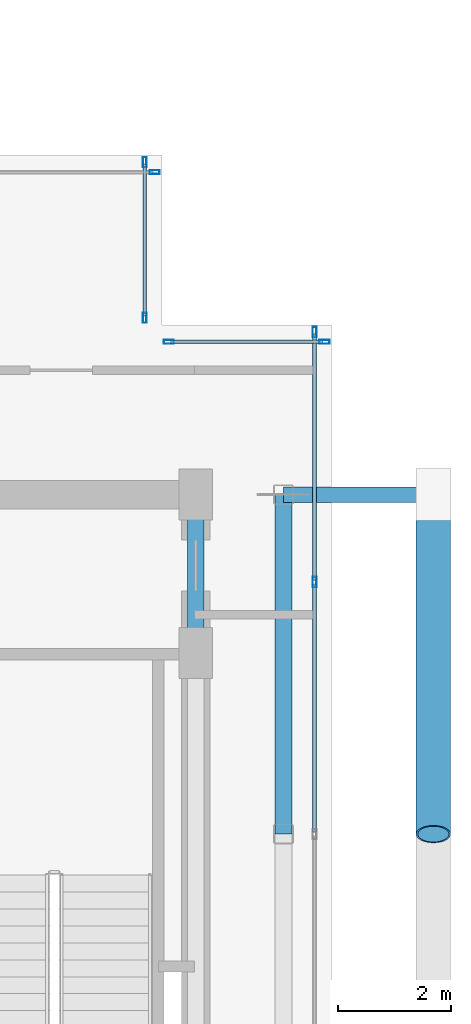
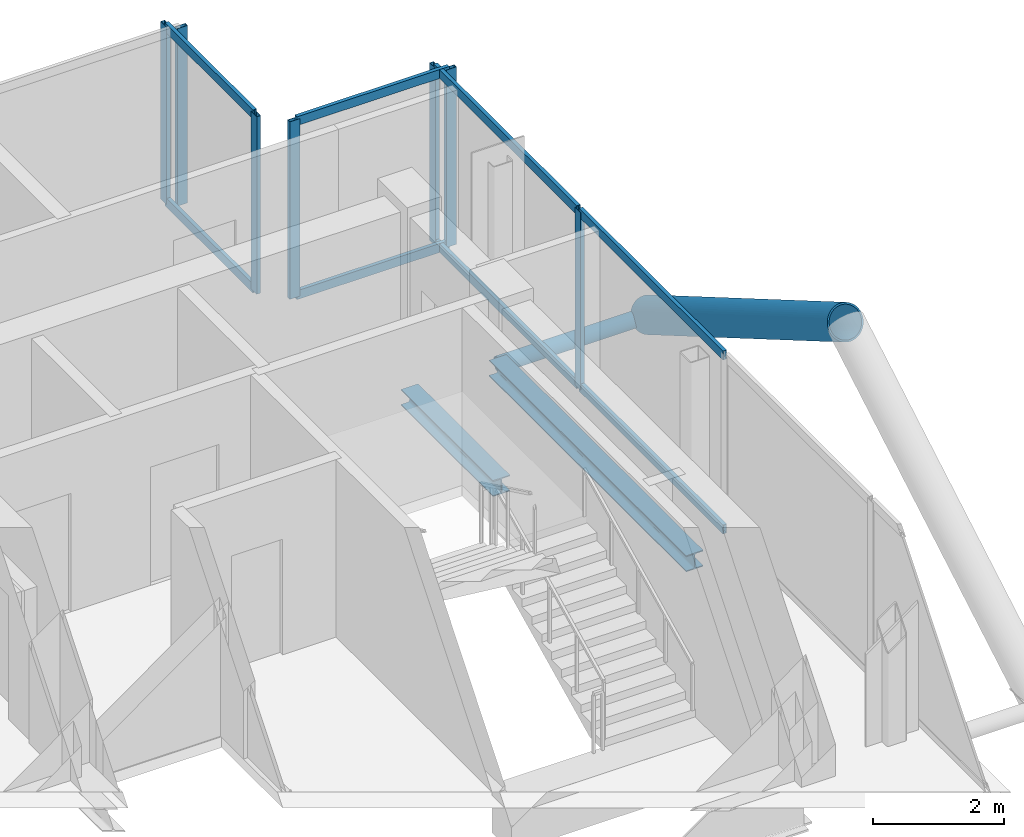
# One storey, part 13 of 19: 17 members, 2 beams, 4 elements without a shape of their own.
"""IFC4 building model written with IfcOpenShell, lengths in metres."""

from ifc_helpers import new_model, si_unit, direction, frame, origin, origin_2d, place, context, subcontext, project, spatial, hollow_rectangle, hollow_circle, i_section, extrude, material, layer, layer_set, material_profile, profile_set, type_object, element, aggregate, save


model = new_model("IFC4")

# Units and contexts
model_context = context("Model", 3, precision=1e-05, world=origin(), true_north=direction((0.0, 1.0)))
body_context = subcontext(model_context, "Body", "Model", "MODEL_VIEW")
ifc_project = project(units=[si_unit("LENGTHUNIT", "METRE"), si_unit("AREAUNIT", "SQUARE_METRE"), si_unit("VOLUMEUNIT", "CUBIC_METRE"), si_unit("PLANEANGLEUNIT", "RADIAN"), si_unit("MASSUNIT", "GRAM", prefix="KILO"), si_unit("THERMODYNAMICTEMPERATUREUNIT", "KELVIN"), si_unit("POWERUNIT", "WATT")], contexts=[model_context])

# Site, building, storey
site_placement = place(None, origin())
site = spatial("IfcSite", under=ifc_project, at=site_placement, CompositionType="ELEMENT")
building_placement = place(site_placement, origin())
building = spatial("IfcBuilding", under=site, at=building_placement, Name="Svarakhadi Broadcast Tower", CompositionType="ELEMENT")
storey_placement = place(building_placement, frame((0.0, 0.0, 285.199951171875)))
storey = spatial("IfcBuildingStorey", under=building, at=storey_placement, Name="L72", CompositionType="ELEMENT", Elevation=285.199951171875)

# Curtain wall, member
ifc_material_1 = material(Name="Anodised Bronze Aluminium AA 6063-T6", Category="aluminium")
ifc_layer = layer(ifc_material_1, 0.179931640625)
ifc_layer_set = layer_set([ifc_layer], Name="Anodised Bronze Aluminium AA 6063-T6")
curtain_wall_type = type_object("IfcCurtainWallType", Name="CW_Sys_05", PredefinedType="NOTDEFINED", material=ifc_layer_set)
curtain_wall_1_placement = place(storey_placement, origin())
curtain_wall_1 = element("IfcCurtainWall", 1, at=curtain_wall_1_placement, inside=storey, type_object=curtain_wall_type, Name="L72 Unitised Facade Curtain Wall 09", PredefinedType="NOTDEFINED")
ifc_material_profile_1 = material_profile(ifc_material_1, hollow_rectangle(XDim=0.070068359375, YDim=0.179931640625, WallThickness=0.005615234375, at=origin_2d()), Name="ALU MULLION 180x70x6")
ifc_profile_set_1 = profile_set([ifc_material_profile_1], Name="Anodised Bronze Aluminium AA 6063-T6")
member_type_1 = type_object("IfcMemberType", Name="CW_Sys_05_Mul", PredefinedType="MULLION", material=ifc_profile_set_1)
member_1_placement = place(storey_placement, frame((32.875, 23.699951171875, 0.0), z_axis=(0.0, 0.0, 1.0), x_axis=(0.0, 1.0, 0.0)))
member_1 = element("IfcMember", 2, at=member_1_placement, type_object=member_type_1, Name="CW-05 mullion 2", PredefinedType="MULLION", context=body_context, shape_type="SweptSolid", body=[
    extrude(hollow_rectangle(XDim=0.070068359375, YDim=0.179931640625, WallThickness=0.005615234375, at=origin_2d()), origin(), (0.0, 0.0, 1.0), 3.300048828125),
])
aggregate(curtain_wall_1, [member_1])

# Curtain wall, members
curtain_wall_2_placement = place(storey_placement, origin())
curtain_wall_2 = element("IfcCurtainWall", 3, at=curtain_wall_2_placement, inside=storey, type_object=curtain_wall_type, Name="L72 Unitised Facade Curtain Wall 10", PredefinedType="NOTDEFINED")
member_2_placement = place(storey_placement, frame((32.699951171875, 23.875, 0.0), z_axis=(0.0, 0.0, 1.0), x_axis=(1.0, 0.0, 0.0)))
member_2 = element("IfcMember", 4, at=member_2_placement, type_object=member_type_1, Name="CW-05 mullion 1", PredefinedType="MULLION", context=body_context, shape_type="SweptSolid", body=[
    extrude(hollow_rectangle(XDim=0.070068359375, YDim=0.179931640625, WallThickness=0.005615234375, at=origin_2d()), origin(), (0.0, 0.0, 1.0), 3.300048828125),
])
member_3_placement = place(storey_placement, frame((32.699951171875, 21.125, 0.0), z_axis=(0.0, 0.0, 1.0), x_axis=(1.0, 0.0, 0.0)))
member_3 = element("IfcMember", 5, at=member_3_placement, type_object=member_type_1, Name="CW-05 mullion 2", PredefinedType="MULLION", context=body_context, shape_type="SweptSolid", body=[
    extrude(hollow_rectangle(XDim=0.070068359375, YDim=0.179931640625, WallThickness=0.005615234375, at=origin_2d()), origin(), (0.0, 0.0, 1.0), 3.300048828125),
])

curtain_wall_3_placement = place(storey_placement, origin())
curtain_wall_3 = element("IfcCurtainWall", 6, at=curtain_wall_3_placement, inside=storey, type_object=curtain_wall_type, Name="L72 Unitised Facade Curtain Wall 11", PredefinedType="NOTDEFINED")
member_4_placement = place(storey_placement, frame((33.125, 20.699951171875, 0.0), z_axis=(0.0, 0.0, 1.0), x_axis=(0.0, 1.0, 0.0)))
member_4 = element("IfcMember", 7, at=member_4_placement, type_object=member_type_1, Name="CW-05 mullion 1", PredefinedType="MULLION", context=body_context, shape_type="SweptSolid", body=[
    extrude(hollow_rectangle(XDim=0.070068359375, YDim=0.179931640625, WallThickness=0.005615234375, at=origin_2d()), origin(), (0.0, 0.0, 1.0), 3.300048828125),
])
member_5_placement = place(storey_placement, frame((35.875, 20.699951171875, 0.0), z_axis=(0.0, 0.0, 1.0), x_axis=(0.0, 1.0, 0.0)))
member_5 = element("IfcMember", 8, at=member_5_placement, type_object=member_type_1, Name="CW-05 mullion 2", PredefinedType="MULLION", context=body_context, shape_type="SweptSolid", body=[
    extrude(hollow_rectangle(XDim=0.070068359375, YDim=0.179931640625, WallThickness=0.005615234375, at=origin_2d()), origin(), (0.0, 0.0, 1.0), 3.300048828125),
])

curtain_wall_4_placement = place(storey_placement, origin())
curtain_wall_4 = element("IfcCurtainWall", 9, at=curtain_wall_4_placement, inside=storey, type_object=curtain_wall_type, Name="L72 Unitised Facade Curtain Wall 12", PredefinedType="NOTDEFINED")
member_6_placement = place(storey_placement, frame((35.699951171875, 20.875, 0.0), z_axis=(0.0, 0.0, 1.0), x_axis=(1.0, 0.0, 0.0)))
member_6 = element("IfcMember", 10, at=member_6_placement, type_object=member_type_1, Name="CW-05 mullion 1", PredefinedType="MULLION", context=body_context, shape_type="SweptSolid", body=[
    extrude(hollow_rectangle(XDim=0.070068359375, YDim=0.179931640625, WallThickness=0.005615234375, at=origin_2d()), origin(), (0.0, 0.0, 1.0), 3.300048828125),
])
member_7_placement = place(storey_placement, frame((35.699951171875, 16.455078125, 0.0), z_axis=(0.0, 0.0, 1.0), x_axis=(1.0, 0.0, 0.0)))
member_7 = element("IfcMember", 11, at=member_7_placement, type_object=member_type_1, Name="CW-05 mullion 2", PredefinedType="MULLION", context=body_context, shape_type="SweptSolid", body=[
    extrude(hollow_rectangle(XDim=0.070068359375, YDim=0.179931640625, WallThickness=0.005615234375, at=origin_2d()), origin(), (0.0, 0.0, 1.0), 3.300048828125),
])

# Member
ifc_material_profile_2 = material_profile(ifc_material_1, hollow_rectangle(XDim=0.06494140625, YDim=0.1650390625, WallThickness=0.0048828125, at=origin_2d()), Name="ALU TRANSOM 165x65x5")
ifc_profile_set_2 = profile_set([ifc_material_profile_2], Name="Anodised Bronze Aluminium AA 6063-T6")
member_type_2 = type_object("IfcMemberType", Name="CW_Sys_05_Trn", PredefinedType="USERDEFINED", material=ifc_profile_set_2)
member_8_placement = place(storey_placement, frame((32.699951171875, 23.840087890625, 0.032470703125), z_axis=(0.0, -1.0, 0.0), x_axis=(1.0, 0.0, 0.0)))
member_8 = element("IfcMember", 12, at=member_8_placement, type_object=member_type_2, Name="CW-05 transom 1.1", ObjectType="TRANSOM", PredefinedType="USERDEFINED", context=body_context, shape_type="SweptSolid", body=[
    extrude(hollow_rectangle(XDim=0.06494140625, YDim=0.1650390625, WallThickness=0.0048828125, at=origin_2d()), origin(), (0.0, 0.0, 1.0), 2.68017578125),
])

member_9_placement = place(storey_placement, frame((32.699951171875, 23.840087890625, 3.267578125), z_axis=(0.0, -1.0, 0.0), x_axis=(1.0, 0.0, 0.0)))
member_9 = element("IfcMember", 13, at=member_9_placement, type_object=member_type_2, Name="CW-05 transom 1.2", ObjectType="TRANSOM", PredefinedType="USERDEFINED", context=body_context, shape_type="SweptSolid", body=[
    extrude(hollow_rectangle(XDim=0.06494140625, YDim=0.1650390625, WallThickness=0.0048828125, at=origin_2d()), origin(), (0.0, 0.0, 1.0), 2.68017578125),
])

aggregate(curtain_wall_2, [member_2, member_3, member_8, member_9])

member_10_placement = place(storey_placement, frame((33.159912109375, 20.699951171875, 0.032470703125), z_axis=(1.0, 0.0, 0.0), x_axis=(0.0, 1.0, 0.0)))
member_10 = element("IfcMember", 14, at=member_10_placement, type_object=member_type_2, Name="CW-05 transom 1.1", ObjectType="TRANSOM", PredefinedType="USERDEFINED", context=body_context, shape_type="SweptSolid", body=[
    extrude(hollow_rectangle(XDim=0.06494140625, YDim=0.1650390625, WallThickness=0.0048828125, at=origin_2d()), origin(), (0.0, 0.0, 1.0), 2.68017578125),
])

member_11_placement = place(storey_placement, frame((33.159912109375, 20.699951171875, 3.267578125), z_axis=(1.0, 0.0, 0.0), x_axis=(0.0, 1.0, 0.0)))
member_11 = element("IfcMember", 15, at=member_11_placement, type_object=member_type_2, Name="CW-05 transom 1.2", ObjectType="TRANSOM", PredefinedType="USERDEFINED", context=body_context, shape_type="SweptSolid", body=[
    extrude(hollow_rectangle(XDim=0.06494140625, YDim=0.1650390625, WallThickness=0.0048828125, at=origin_2d()), origin(), (0.0, 0.0, 1.0), 2.68017578125),
])

aggregate(curtain_wall_3, [member_4, member_5, member_10, member_11])

member_12_placement = place(storey_placement, frame((35.699951171875, 20.840087890625, 0.032470703125), z_axis=(0.0, -1.0, 0.0), x_axis=(1.0, 0.0, 0.0)))
member_12 = element("IfcMember", 16, at=member_12_placement, type_object=member_type_2, Name="CW-05 transom 1.1", ObjectType="TRANSOM", PredefinedType="USERDEFINED", context=body_context, shape_type="SweptSolid", body=[
    extrude(hollow_rectangle(XDim=0.06494140625, YDim=0.1650390625, WallThickness=0.0048828125, at=origin_2d()), origin(), (0.0, 0.0, 1.0), 4.35009765625),
])

member_13_placement = place(storey_placement, frame((35.699951171875, 20.840087890625, 3.267578125), z_axis=(0.0, -1.0, 0.0), x_axis=(1.0, 0.0, 0.0)))
member_13 = element("IfcMember", 17, at=member_13_placement, type_object=member_type_2, Name="CW-05 transom 1.2", ObjectType="TRANSOM", PredefinedType="USERDEFINED", context=body_context, shape_type="SweptSolid", body=[
    extrude(hollow_rectangle(XDim=0.06494140625, YDim=0.1650390625, WallThickness=0.0048828125, at=origin_2d()), origin(), (0.0, 0.0, 1.0), 4.35009765625),
])

member_14_placement = place(storey_placement, frame((35.699951171875, 16.419921875, 0.032470703125), z_axis=(0.0, -1.0, 0.0), x_axis=(1.0, 0.0, 0.0)))
member_14 = element("IfcMember", 18, at=member_14_placement, type_object=member_type_2, Name="CW-05 transom 2.1", ObjectType="TRANSOM", PredefinedType="USERDEFINED", context=body_context, shape_type="SweptSolid", body=[
    extrude(hollow_rectangle(XDim=0.06494140625, YDim=0.1650390625, WallThickness=0.0048828125, at=origin_2d()), origin(), (0.0, 0.0, 1.0), 4.385009765625),
])

member_15_placement = place(storey_placement, frame((35.699951171875, 16.419921875, 3.267578125), z_axis=(0.0, -1.0, 0.0), x_axis=(1.0, 0.0, 0.0)))
member_15 = element("IfcMember", 19, at=member_15_placement, type_object=member_type_2, Name="CW-05 transom 2.2", ObjectType="TRANSOM", PredefinedType="USERDEFINED", context=body_context, shape_type="SweptSolid", body=[
    extrude(hollow_rectangle(XDim=0.06494140625, YDim=0.1650390625, WallThickness=0.0048828125, at=origin_2d()), origin(), (0.0, 0.0, 1.0), 4.385009765625),
])

aggregate(curtain_wall_4, [member_6, member_7, member_12, member_13, member_14, member_15])

# Members
ifc_material_2 = material(Name="Steel S460ML (IS 2062 E450BR)", Category="steel")
ifc_material_profile_3 = material_profile(ifc_material_2, hollow_circle(Radius=0.304931640625, WallThickness=0.030029296875, at=origin_2d()), Name="CHS 610x30")
ifc_profile_set_3 = profile_set([ifc_material_profile_3], Name="Steel S460ML (IS 2062 E450BR)")
member_type_3 = type_object("IfcMemberType", Name="Exo_Brace_CHS610", PredefinedType="BRACE", material=ifc_profile_set_3)
member_16_placement = place(storey_placement, frame((37.800048828125, 18.0, -0.33642578125), z_axis=(0.0, -0.863778900898, 0.503871025524), x_axis=(1.0, 0.0, 0.0)))
element("IfcMember", 20, at=member_16_placement, inside=storey, type_object=member_type_3, Name="L72 Exposed Bronze Exoskeleton Diagonal E05", PredefinedType="BRACE", context=body_context, shape_type="SweptSolid", body=[
    extrude(hollow_circle(Radius=0.304931640625, WallThickness=0.030029296875, at=origin_2d()), origin(), (0.0, 0.0, 1.0), 6.9462890625),
])
ifc_material_profile_4 = material_profile(ifc_material_2, hollow_circle(Radius=0.136474609375, WallThickness=0.012451171875, at=origin_2d()), Name="CHS 273x12.5")
ifc_profile_set_4 = profile_set([ifc_material_profile_4], Name="Steel S460ML (IS 2062 E450BR)")
member_type_4 = type_object("IfcMemberType", Name="Exo_Radial_Strut_Z3", PredefinedType="STRUT", material=ifc_profile_set_4)
member_17_placement = place(storey_placement, frame((37.800048828125, 18.0, -0.33642578125), z_axis=(-1.0, 0.0, 0.0), x_axis=(0.0, -1.0, 0.0)))
element("IfcMember", 21, at=member_17_placement, inside=storey, type_object=member_type_4, Name="L72 Exoskeleton Radial Tie Strut E06", PredefinedType="STRUT", context=body_context, shape_type="SweptSolid", body=[
    extrude(hollow_circle(Radius=0.136474609375, WallThickness=0.012451171875, at=origin_2d()), origin(), (0.0, 0.0, 1.0), 2.650146484375),
])

# Beams
ifc_material_3 = material(Name="Steel S355J2 (IS 2062 E350C)", Category="steel")
ifc_material_profile_5 = material_profile(ifc_material_3, i_section(OverallWidth=0.300048828125, OverallDepth=0.300048828125, WebThickness=0.010986328125, FlangeThickness=0.01904296875, FilletRadius=0.027099609375, at=origin_2d()), Name="WPB 300x300x117")
ifc_profile_set_5 = profile_set([ifc_material_profile_5], Name="Steel S355J2 (IS 2062 E350C)")
beam_type = type_object("IfcBeamType", Name="Girder_WPB300", PredefinedType="USERDEFINED", material=ifc_profile_set_5)
beam_1_placement = place(storey_placement, frame((33.60009765625, 15.199951171875, -0.349853515625), z_axis=(0.0, 1.0, 0.0), x_axis=(-1.0, 0.0, 0.0)))
element("IfcBeam", 22, at=beam_1_placement, inside=storey, type_object=beam_type, Name="L72 Primary N-S Girder G044", ObjectType="GIRDER", PredefinedType="USERDEFINED", context=body_context, shape_type="SweptSolid", body=[
    extrude(i_section(OverallWidth=0.300048828125, OverallDepth=0.300048828125, WebThickness=0.010986328125, FlangeThickness=0.01904296875, FilletRadius=0.027099609375, at=origin_2d()), origin(), (0.0, 0.0, 1.0), 2.800048828125),
])
beam_2_placement = place(storey_placement, frame((35.14990234375, 12.0, -0.349853515625), z_axis=(0.0, 1.0, 0.0), x_axis=(-1.0, 0.0, 0.0)))
element("IfcBeam", 23, at=beam_2_placement, inside=storey, type_object=beam_type, Name="L72 Primary N-S Girder G046", ObjectType="GIRDER", PredefinedType="USERDEFINED", context=body_context, shape_type="SweptSolid", body=[
    extrude(i_section(OverallWidth=0.300048828125, OverallDepth=0.300048828125, WebThickness=0.010986328125, FlangeThickness=0.01904296875, FilletRadius=0.027099609375, at=origin_2d()), origin(), (0.0, 0.0, 1.0), 6.0),
])

save(model, "model.ifc")
